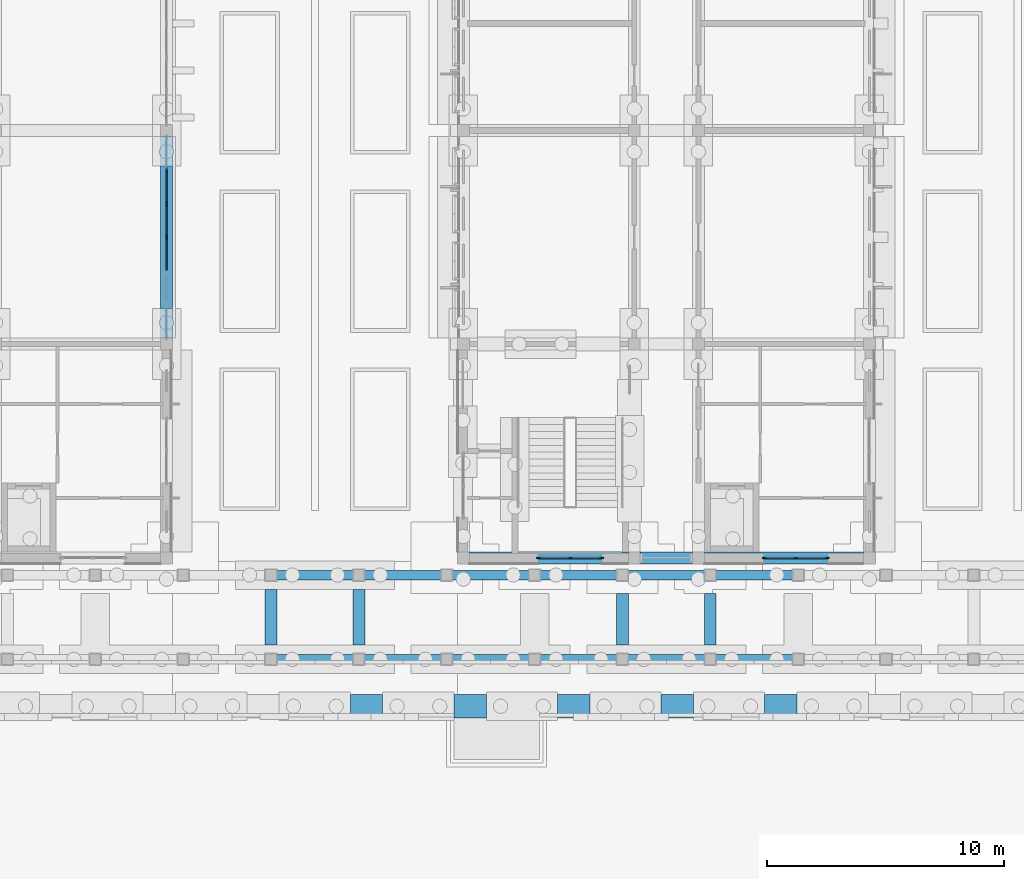
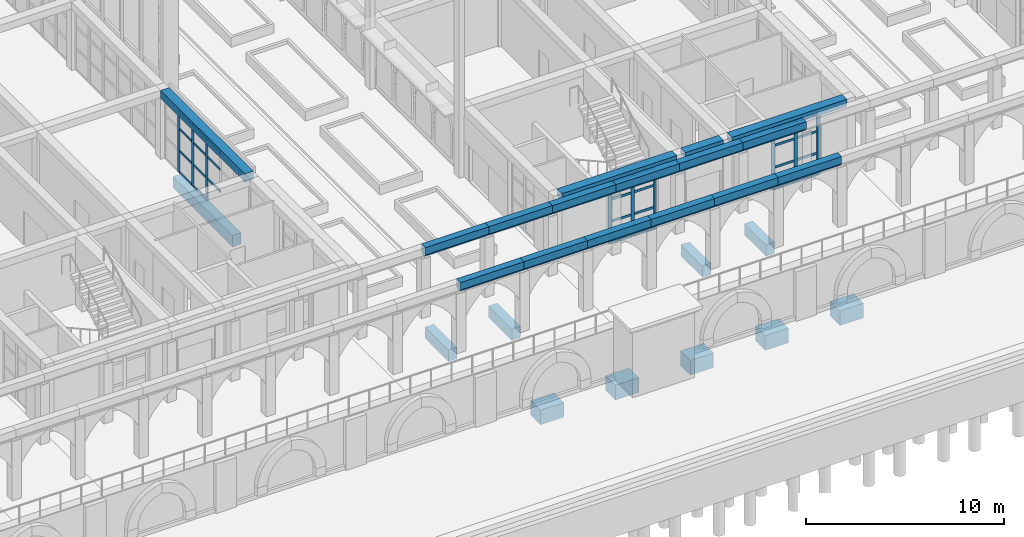
# One storey, part 22 of 161: 36 members, 26 beams, 3 elements without a shape of their own.
"""IFC4 building model written with IfcOpenShell, lengths in metres."""

from ifc_helpers import new_model, si_unit, direction, frame, origin, origin_2d, place, context, subcontext, project, spatial, polyline, rectangle, outline, extrude, material, layer, layer_set, material_profile, profile_set, type_object, element, aggregate, save


model = new_model("IFC4")

# Units and contexts
model_context = context("Model", 3, precision=1e-05, world=origin(), true_north=direction((0.0, 1.0)))
body_context = subcontext(model_context, "Body", "Model", "MODEL_VIEW")
ifc_project = project(units=[si_unit("LENGTHUNIT", "METRE"), si_unit("AREAUNIT", "SQUARE_METRE"), si_unit("VOLUMEUNIT", "CUBIC_METRE"), si_unit("PLANEANGLEUNIT", "RADIAN"), si_unit("MASSUNIT", "GRAM", prefix="KILO")], contexts=[model_context])

# Site, building, storey
site_placement = place(None, origin())
site = spatial("IfcSite", under=ifc_project, at=site_placement, CompositionType="ELEMENT")
building_placement = place(site_placement, origin())
building = spatial("IfcBuilding", under=site, at=building_placement, Name="Elbe Cascade School", CompositionType="ELEMENT")
storey_placement = place(building_placement, origin())
storey = spatial("IfcBuildingStorey", under=building, at=storey_placement, Name="L00", CompositionType="ELEMENT", Elevation=0.0)

# Curtain wall, members
ifc_material_1 = material(Name="Aluminium frame with double glazing, bronze anodised", Category="aluminium")
ifc_layer = layer(ifc_material_1, 0.199951171875)
ifc_layer_set = layer_set([ifc_layer], Name="Aluminium frame with double glazing, bronze anodised")
curtain_wall_type = type_object("IfcCurtainWallType", Name="Bars envelope Curtain wall, aluminium, bronze anodised, ground floor tall run", PredefinedType="NOTDEFINED", material=ifc_layer_set)
curtain_wall_1_placement = place(storey_placement, origin())
curtain_wall_1 = element("IfcCurtainWall", 1, at=curtain_wall_1_placement, inside=storey, type_object=curtain_wall_type, Name="Curtain wall CW3 A.L00.e2", PredefinedType="NOTDEFINED")
ifc_material_2 = material(Name="Aluminium mullion, bronze anodised", Category="aluminium")
ifc_material_profile_1 = material_profile(ifc_material_2, rectangle(XDim=0.06005859375, YDim=0.199951171875, at=origin_2d()), Name="Bars envelope Curtain wall mullion 60 x 200, aluminium, ground floor tall run")
ifc_profile_set_1 = profile_set([ifc_material_profile_1], Name="Aluminium mullion, bronze anodised")
member_type_1 = type_object("IfcMemberType", Name="Bars envelope Curtain wall mullion 60 x 200, aluminium, ground floor tall run", PredefinedType="MULLION", material=ifc_profile_set_1)
member_1_placement = place(storey_placement, frame((86.10009765625, 22.333251953125, 0.0), z_axis=(0.0, 0.0, 1.0), x_axis=(1.0, 0.0, 0.0)))
member_1 = element("IfcMember", 2, at=member_1_placement, type_object=member_type_1, Name="CW3 mullion 2", PredefinedType="MULLION", context=body_context, shape_type="SweptSolid", body=[
    extrude(rectangle(XDim=0.06005859375, YDim=0.199951171875, at=origin_2d()), origin(), (0.0, 0.0, 1.0), 3.75),
])
member_2_placement = place(storey_placement, frame((86.10009765625, 20.916748046875, 0.0), z_axis=(0.0, 0.0, 1.0), x_axis=(1.0, 0.0, 0.0)))
member_2 = element("IfcMember", 3, at=member_2_placement, type_object=member_type_1, Name="CW3 mullion 3", PredefinedType="MULLION", context=body_context, shape_type="SweptSolid", body=[
    extrude(rectangle(XDim=0.06005859375, YDim=0.199951171875, at=origin_2d()), origin(), (0.0, 0.0, 1.0), 3.75),
])
member_3_placement = place(storey_placement, frame((86.10009765625, 19.5, 0.0), z_axis=(0.0, 0.0, 1.0), x_axis=(1.0, 0.0, 0.0)))
member_3 = element("IfcMember", 4, at=member_3_placement, type_object=member_type_1, Name="CW3 mullion 4", PredefinedType="MULLION", context=body_context, shape_type="SweptSolid", body=[
    extrude(rectangle(XDim=0.06005859375, YDim=0.199951171875, at=origin_2d()), origin(), (0.0, 0.0, 1.0), 3.75),
])

curtain_wall_2_placement = place(storey_placement, origin())
curtain_wall_2 = element("IfcCurtainWall", 5, at=curtain_wall_2_placement, inside=storey, type_object=curtain_wall_type, Name="Curtain wall CW3 B.L00.s1", PredefinedType="NOTDEFINED")
member_4_placement = place(storey_placement, frame((104.419921875, 6.0, 0.0), z_axis=(0.0, 0.0, 1.0), x_axis=(0.0, -1.0, 0.0)))
member_4 = element("IfcMember", 6, at=member_4_placement, type_object=member_type_1, Name="CW3 mullion 1", PredefinedType="MULLION", context=body_context, shape_type="SweptSolid", body=[
    extrude(rectangle(XDim=0.06005859375, YDim=0.199951171875, at=origin_2d()), origin(), (0.0, 0.0, 1.0), 3.800048828125),
])
member_5_placement = place(storey_placement, frame((103.10009765625, 6.0, 0.0), z_axis=(0.0, 0.0, 1.0), x_axis=(0.0, -1.0, 0.0)))
member_5 = element("IfcMember", 7, at=member_5_placement, type_object=member_type_1, Name="CW3 mullion 2", PredefinedType="MULLION", context=body_context, shape_type="SweptSolid", body=[
    extrude(rectangle(XDim=0.06005859375, YDim=0.199951171875, at=origin_2d()), origin(), (0.0, 0.0, 1.0), 3.800048828125),
])
member_6_placement = place(storey_placement, frame((101.780029296875, 6.0, 0.0), z_axis=(0.0, 0.0, 1.0), x_axis=(0.0, -1.0, 0.0)))
member_6 = element("IfcMember", 8, at=member_6_placement, type_object=member_type_1, Name="CW3 mullion 3", PredefinedType="MULLION", context=body_context, shape_type="SweptSolid", body=[
    extrude(rectangle(XDim=0.06005859375, YDim=0.199951171875, at=origin_2d()), origin(), (0.0, 0.0, 1.0), 3.800048828125),
])

curtain_wall_3_placement = place(storey_placement, origin())
curtain_wall_3 = element("IfcCurtainWall", 9, at=curtain_wall_3_placement, inside=storey, type_object=curtain_wall_type, Name="Curtain wall CW3 B.L00.s3", PredefinedType="NOTDEFINED")
member_7_placement = place(storey_placement, frame((113.919921875, 6.0, 0.0), z_axis=(0.0, 0.0, 1.0), x_axis=(0.0, -1.0, 0.0)))
member_7 = element("IfcMember", 10, at=member_7_placement, type_object=member_type_1, Name="CW3 mullion 1", PredefinedType="MULLION", context=body_context, shape_type="SweptSolid", body=[
    extrude(rectangle(XDim=0.06005859375, YDim=0.199951171875, at=origin_2d()), origin(), (0.0, 0.0, 1.0), 3.800048828125),
])
member_8_placement = place(storey_placement, frame((112.60009765625, 6.0, 0.0), z_axis=(0.0, 0.0, 1.0), x_axis=(0.0, -1.0, 0.0)))
member_8 = element("IfcMember", 11, at=member_8_placement, type_object=member_type_1, Name="CW3 mullion 2", PredefinedType="MULLION", context=body_context, shape_type="SweptSolid", body=[
    extrude(rectangle(XDim=0.06005859375, YDim=0.199951171875, at=origin_2d()), origin(), (0.0, 0.0, 1.0), 3.800048828125),
])
member_9_placement = place(storey_placement, frame((111.280029296875, 6.0, 0.0), z_axis=(0.0, 0.0, 1.0), x_axis=(0.0, -1.0, 0.0)))
member_9 = element("IfcMember", 12, at=member_9_placement, type_object=member_type_1, Name="CW3 mullion 3", PredefinedType="MULLION", context=body_context, shape_type="SweptSolid", body=[
    extrude(rectangle(XDim=0.06005859375, YDim=0.199951171875, at=origin_2d()), origin(), (0.0, 0.0, 1.0), 3.800048828125),
])

# Member
ifc_material_3 = material(Name="Aluminium transom, bronze anodised", Category="aluminium")
ifc_material_profile_2 = material_profile(ifc_material_3, rectangle(XDim=0.06005859375, YDim=0.139892578125, at=origin_2d()), Name="Bars envelope Curtain wall transom 60 x 140, aluminium, ground floor tall run")
ifc_profile_set_2 = profile_set([ifc_material_profile_2], Name="Aluminium transom, bronze anodised")
member_type_2 = type_object("IfcMemberType", Name="Bars envelope Curtain wall transom 60 x 140, aluminium, ground floor tall run", PredefinedType="USERDEFINED", material=ifc_profile_set_2)
member_10_placement = place(storey_placement, frame((86.10009765625, 22.30322265625, 0.030029296875), z_axis=(0.0, -1.0, 0.0), x_axis=(1.0, 0.0, 0.0)))
member_10 = element("IfcMember", 13, at=member_10_placement, type_object=member_type_2, Name="CW3 transom 2.1", ObjectType="TRANSOM", PredefinedType="USERDEFINED", context=body_context, shape_type="SweptSolid", body=[
    extrude(rectangle(XDim=0.06005859375, YDim=0.139892578125, at=origin_2d()), origin(), (0.0, 0.0, 1.0), 1.3564453125),
])

member_11_placement = place(storey_placement, frame((86.10009765625, 22.30322265625, 1.35009765625), z_axis=(0.0, -1.0, 0.0), x_axis=(1.0, 0.0, 0.0)))
member_11 = element("IfcMember", 14, at=member_11_placement, type_object=member_type_2, Name="CW3 transom 2.2", ObjectType="TRANSOM", PredefinedType="USERDEFINED", context=body_context, shape_type="SweptSolid", body=[
    extrude(rectangle(XDim=0.06005859375, YDim=0.139892578125, at=origin_2d()), origin(), (0.0, 0.0, 1.0), 1.3564453125),
])

member_12_placement = place(storey_placement, frame((86.10009765625, 22.30322265625, 2.699951171875), z_axis=(0.0, -1.0, 0.0), x_axis=(1.0, 0.0, 0.0)))
member_12 = element("IfcMember", 15, at=member_12_placement, type_object=member_type_2, Name="CW3 transom 2.3", ObjectType="TRANSOM", PredefinedType="USERDEFINED", context=body_context, shape_type="SweptSolid", body=[
    extrude(rectangle(XDim=0.06005859375, YDim=0.139892578125, at=origin_2d()), origin(), (0.0, 0.0, 1.0), 1.3564453125),
])

member_13_placement = place(storey_placement, frame((86.10009765625, 22.30322265625, 3.719970703125), z_axis=(0.0, -1.0, 0.0), x_axis=(1.0, 0.0, 0.0)))
member_13 = element("IfcMember", 16, at=member_13_placement, type_object=member_type_2, Name="CW3 transom 2.4", ObjectType="TRANSOM", PredefinedType="USERDEFINED", context=body_context, shape_type="SweptSolid", body=[
    extrude(rectangle(XDim=0.06005859375, YDim=0.139892578125, at=origin_2d()), origin(), (0.0, 0.0, 1.0), 1.3564453125),
])

member_14_placement = place(storey_placement, frame((86.10009765625, 20.88671875, 0.030029296875), z_axis=(0.0, -1.0, 0.0), x_axis=(1.0, 0.0, 0.0)))
member_14 = element("IfcMember", 17, at=member_14_placement, type_object=member_type_2, Name="CW3 transom 3.1", ObjectType="TRANSOM", PredefinedType="USERDEFINED", context=body_context, shape_type="SweptSolid", body=[
    extrude(rectangle(XDim=0.06005859375, YDim=0.139892578125, at=origin_2d()), origin(), (0.0, 0.0, 1.0), 1.356689453125),
])

member_15_placement = place(storey_placement, frame((86.10009765625, 20.88671875, 1.35009765625), z_axis=(0.0, -1.0, 0.0), x_axis=(1.0, 0.0, 0.0)))
member_15 = element("IfcMember", 18, at=member_15_placement, type_object=member_type_2, Name="CW3 transom 3.2", ObjectType="TRANSOM", PredefinedType="USERDEFINED", context=body_context, shape_type="SweptSolid", body=[
    extrude(rectangle(XDim=0.06005859375, YDim=0.139892578125, at=origin_2d()), origin(), (0.0, 0.0, 1.0), 1.356689453125),
])

member_16_placement = place(storey_placement, frame((86.10009765625, 20.88671875, 2.699951171875), z_axis=(0.0, -1.0, 0.0), x_axis=(1.0, 0.0, 0.0)))
member_16 = element("IfcMember", 19, at=member_16_placement, type_object=member_type_2, Name="CW3 transom 3.3", ObjectType="TRANSOM", PredefinedType="USERDEFINED", context=body_context, shape_type="SweptSolid", body=[
    extrude(rectangle(XDim=0.06005859375, YDim=0.139892578125, at=origin_2d()), origin(), (0.0, 0.0, 1.0), 1.356689453125),
])

member_17_placement = place(storey_placement, frame((86.10009765625, 20.88671875, 3.719970703125), z_axis=(0.0, -1.0, 0.0), x_axis=(1.0, 0.0, 0.0)))
member_17 = element("IfcMember", 20, at=member_17_placement, type_object=member_type_2, Name="CW3 transom 3.4", ObjectType="TRANSOM", PredefinedType="USERDEFINED", context=body_context, shape_type="SweptSolid", body=[
    extrude(rectangle(XDim=0.06005859375, YDim=0.139892578125, at=origin_2d()), origin(), (0.0, 0.0, 1.0), 1.356689453125),
])

member_18_placement = place(storey_placement, frame((86.10009765625, 19.469970703125, 1.35009765625), z_axis=(0.0, -1.0, 0.0), x_axis=(1.0, 0.0, 0.0)))
member_18 = element("IfcMember", 21, at=member_18_placement, type_object=member_type_2, Name="CW3 transom 4.2", ObjectType="TRANSOM", PredefinedType="USERDEFINED", context=body_context, shape_type="SweptSolid", body=[
    extrude(rectangle(XDim=0.06005859375, YDim=0.139892578125, at=origin_2d()), origin(), (0.0, 0.0, 1.0), 1.356689453125),
])

member_19_placement = place(storey_placement, frame((86.10009765625, 19.469970703125, 2.699951171875), z_axis=(0.0, -1.0, 0.0), x_axis=(1.0, 0.0, 0.0)))
member_19 = element("IfcMember", 22, at=member_19_placement, type_object=member_type_2, Name="CW3 transom 4.3", ObjectType="TRANSOM", PredefinedType="USERDEFINED", context=body_context, shape_type="SweptSolid", body=[
    extrude(rectangle(XDim=0.06005859375, YDim=0.139892578125, at=origin_2d()), origin(), (0.0, 0.0, 1.0), 1.356689453125),
])

member_20_placement = place(storey_placement, frame((86.10009765625, 19.469970703125, 3.719970703125), z_axis=(0.0, -1.0, 0.0), x_axis=(1.0, 0.0, 0.0)))
member_20 = element("IfcMember", 23, at=member_20_placement, type_object=member_type_2, Name="CW3 transom 4.4", ObjectType="TRANSOM", PredefinedType="USERDEFINED", context=body_context, shape_type="SweptSolid", body=[
    extrude(rectangle(XDim=0.06005859375, YDim=0.139892578125, at=origin_2d()), origin(), (0.0, 0.0, 1.0), 1.356689453125),
])

aggregate(curtain_wall_1, [member_1, member_2, member_3, member_10, member_11, member_12, member_13, member_14, member_15, member_16, member_17, member_18, member_19, member_20])

member_21_placement = place(storey_placement, frame((104.389892578125, 6.0, 0.030029296875), z_axis=(-1.0, 0.0, 0.0), x_axis=(0.0, -1.0, 0.0)))
member_21 = element("IfcMember", 24, at=member_21_placement, type_object=member_type_2, Name="CW3 transom 1.1", ObjectType="TRANSOM", PredefinedType="USERDEFINED", context=body_context, shape_type="SweptSolid", body=[
    extrude(rectangle(XDim=0.06005859375, YDim=0.139892578125, at=origin_2d()), origin(), (0.0, 0.0, 1.0), 1.260009765625),
])

member_22_placement = place(storey_placement, frame((104.389892578125, 6.0, 1.35009765625), z_axis=(-1.0, 0.0, 0.0), x_axis=(0.0, -1.0, 0.0)))
member_22 = element("IfcMember", 25, at=member_22_placement, type_object=member_type_2, Name="CW3 transom 1.2", ObjectType="TRANSOM", PredefinedType="USERDEFINED", context=body_context, shape_type="SweptSolid", body=[
    extrude(rectangle(XDim=0.06005859375, YDim=0.139892578125, at=origin_2d()), origin(), (0.0, 0.0, 1.0), 1.260009765625),
])

member_23_placement = place(storey_placement, frame((104.389892578125, 6.0, 2.699951171875), z_axis=(-1.0, 0.0, 0.0), x_axis=(0.0, -1.0, 0.0)))
member_23 = element("IfcMember", 26, at=member_23_placement, type_object=member_type_2, Name="CW3 transom 1.3", ObjectType="TRANSOM", PredefinedType="USERDEFINED", context=body_context, shape_type="SweptSolid", body=[
    extrude(rectangle(XDim=0.06005859375, YDim=0.139892578125, at=origin_2d()), origin(), (0.0, 0.0, 1.0), 1.260009765625),
])

member_24_placement = place(storey_placement, frame((104.389892578125, 6.0, 3.77001953125), z_axis=(-1.0, 0.0, 0.0), x_axis=(0.0, -1.0, 0.0)))
member_24 = element("IfcMember", 27, at=member_24_placement, type_object=member_type_2, Name="CW3 transom 1.4", ObjectType="TRANSOM", PredefinedType="USERDEFINED", context=body_context, shape_type="SweptSolid", body=[
    extrude(rectangle(XDim=0.06005859375, YDim=0.139892578125, at=origin_2d()), origin(), (0.0, 0.0, 1.0), 1.260009765625),
])

member_25_placement = place(storey_placement, frame((103.070068359375, 6.0, 0.030029296875), z_axis=(-1.0, 0.0, 0.0), x_axis=(0.0, -1.0, 0.0)))
member_25 = element("IfcMember", 28, at=member_25_placement, type_object=member_type_2, Name="CW3 transom 2.1", ObjectType="TRANSOM", PredefinedType="USERDEFINED", context=body_context, shape_type="SweptSolid", body=[
    extrude(rectangle(XDim=0.06005859375, YDim=0.139892578125, at=origin_2d()), origin(), (0.0, 0.0, 1.0), 1.260009765625),
])

member_26_placement = place(storey_placement, frame((103.070068359375, 6.0, 1.35009765625), z_axis=(-1.0, 0.0, 0.0), x_axis=(0.0, -1.0, 0.0)))
member_26 = element("IfcMember", 29, at=member_26_placement, type_object=member_type_2, Name="CW3 transom 2.2", ObjectType="TRANSOM", PredefinedType="USERDEFINED", context=body_context, shape_type="SweptSolid", body=[
    extrude(rectangle(XDim=0.06005859375, YDim=0.139892578125, at=origin_2d()), origin(), (0.0, 0.0, 1.0), 1.260009765625),
])

member_27_placement = place(storey_placement, frame((103.070068359375, 6.0, 2.699951171875), z_axis=(-1.0, 0.0, 0.0), x_axis=(0.0, -1.0, 0.0)))
member_27 = element("IfcMember", 30, at=member_27_placement, type_object=member_type_2, Name="CW3 transom 2.3", ObjectType="TRANSOM", PredefinedType="USERDEFINED", context=body_context, shape_type="SweptSolid", body=[
    extrude(rectangle(XDim=0.06005859375, YDim=0.139892578125, at=origin_2d()), origin(), (0.0, 0.0, 1.0), 1.260009765625),
])

member_28_placement = place(storey_placement, frame((103.070068359375, 6.0, 3.77001953125), z_axis=(-1.0, 0.0, 0.0), x_axis=(0.0, -1.0, 0.0)))
member_28 = element("IfcMember", 31, at=member_28_placement, type_object=member_type_2, Name="CW3 transom 2.4", ObjectType="TRANSOM", PredefinedType="USERDEFINED", context=body_context, shape_type="SweptSolid", body=[
    extrude(rectangle(XDim=0.06005859375, YDim=0.139892578125, at=origin_2d()), origin(), (0.0, 0.0, 1.0), 1.260009765625),
])

aggregate(curtain_wall_2, [member_4, member_5, member_6, member_21, member_22, member_23, member_24, member_25, member_26, member_27, member_28])

member_29_placement = place(storey_placement, frame((113.889892578125, 6.0, 0.030029296875), z_axis=(-1.0, 0.0, 0.0), x_axis=(0.0, -1.0, 0.0)))
member_29 = element("IfcMember", 32, at=member_29_placement, type_object=member_type_2, Name="CW3 transom 1.1", ObjectType="TRANSOM", PredefinedType="USERDEFINED", context=body_context, shape_type="SweptSolid", body=[
    extrude(rectangle(XDim=0.06005859375, YDim=0.139892578125, at=origin_2d()), origin(), (0.0, 0.0, 1.0), 1.260009765625),
])

member_30_placement = place(storey_placement, frame((113.889892578125, 6.0, 1.35009765625), z_axis=(-1.0, 0.0, 0.0), x_axis=(0.0, -1.0, 0.0)))
member_30 = element("IfcMember", 33, at=member_30_placement, type_object=member_type_2, Name="CW3 transom 1.2", ObjectType="TRANSOM", PredefinedType="USERDEFINED", context=body_context, shape_type="SweptSolid", body=[
    extrude(rectangle(XDim=0.06005859375, YDim=0.139892578125, at=origin_2d()), origin(), (0.0, 0.0, 1.0), 1.260009765625),
])

member_31_placement = place(storey_placement, frame((113.889892578125, 6.0, 2.699951171875), z_axis=(-1.0, 0.0, 0.0), x_axis=(0.0, -1.0, 0.0)))
member_31 = element("IfcMember", 34, at=member_31_placement, type_object=member_type_2, Name="CW3 transom 1.3", ObjectType="TRANSOM", PredefinedType="USERDEFINED", context=body_context, shape_type="SweptSolid", body=[
    extrude(rectangle(XDim=0.06005859375, YDim=0.139892578125, at=origin_2d()), origin(), (0.0, 0.0, 1.0), 1.260009765625),
])

member_32_placement = place(storey_placement, frame((113.889892578125, 6.0, 3.77001953125), z_axis=(-1.0, 0.0, 0.0), x_axis=(0.0, -1.0, 0.0)))
member_32 = element("IfcMember", 35, at=member_32_placement, type_object=member_type_2, Name="CW3 transom 1.4", ObjectType="TRANSOM", PredefinedType="USERDEFINED", context=body_context, shape_type="SweptSolid", body=[
    extrude(rectangle(XDim=0.06005859375, YDim=0.139892578125, at=origin_2d()), origin(), (0.0, 0.0, 1.0), 1.260009765625),
])

member_33_placement = place(storey_placement, frame((112.570068359375, 6.0, 0.030029296875), z_axis=(-1.0, 0.0, 0.0), x_axis=(0.0, -1.0, 0.0)))
member_33 = element("IfcMember", 36, at=member_33_placement, type_object=member_type_2, Name="CW3 transom 2.1", ObjectType="TRANSOM", PredefinedType="USERDEFINED", context=body_context, shape_type="SweptSolid", body=[
    extrude(rectangle(XDim=0.06005859375, YDim=0.139892578125, at=origin_2d()), origin(), (0.0, 0.0, 1.0), 1.260009765625),
])

member_34_placement = place(storey_placement, frame((112.570068359375, 6.0, 1.35009765625), z_axis=(-1.0, 0.0, 0.0), x_axis=(0.0, -1.0, 0.0)))
member_34 = element("IfcMember", 37, at=member_34_placement, type_object=member_type_2, Name="CW3 transom 2.2", ObjectType="TRANSOM", PredefinedType="USERDEFINED", context=body_context, shape_type="SweptSolid", body=[
    extrude(rectangle(XDim=0.06005859375, YDim=0.139892578125, at=origin_2d()), origin(), (0.0, 0.0, 1.0), 1.260009765625),
])

member_35_placement = place(storey_placement, frame((112.570068359375, 6.0, 2.699951171875), z_axis=(-1.0, 0.0, 0.0), x_axis=(0.0, -1.0, 0.0)))
member_35 = element("IfcMember", 38, at=member_35_placement, type_object=member_type_2, Name="CW3 transom 2.3", ObjectType="TRANSOM", PredefinedType="USERDEFINED", context=body_context, shape_type="SweptSolid", body=[
    extrude(rectangle(XDim=0.06005859375, YDim=0.139892578125, at=origin_2d()), origin(), (0.0, 0.0, 1.0), 1.260009765625),
])

member_36_placement = place(storey_placement, frame((112.570068359375, 6.0, 3.77001953125), z_axis=(-1.0, 0.0, 0.0), x_axis=(0.0, -1.0, 0.0)))
member_36 = element("IfcMember", 39, at=member_36_placement, type_object=member_type_2, Name="CW3 transom 2.4", ObjectType="TRANSOM", PredefinedType="USERDEFINED", context=body_context, shape_type="SweptSolid", body=[
    extrude(rectangle(XDim=0.06005859375, YDim=0.139892578125, at=origin_2d()), origin(), (0.0, 0.0, 1.0), 1.260009765625),
])

aggregate(curtain_wall_3, [member_7, member_8, member_9, member_29, member_30, member_31, member_32, member_33, member_34, member_35, member_36])

# Beams
ifc_material_4 = material(Name="Concrete C35/45", Category="concrete")
ifc_material_profile_3 = material_profile(ifc_material_4, outline(polyline([(-0.199951171875, 0.300048828125), (0.199951171875, 0.300048828125), (0.199951171875, -0.14990234375), (0.10009765625, -0.300048828125), (-0.10009765625, -0.300048828125), (-0.199951171875, -0.14990234375), (-0.199951171875, 0.300048828125)])), Name="RC arch 400x600")
ifc_profile_set_3 = profile_set([ifc_material_profile_3], Name="Concrete C35/45")
beam_type_1 = type_object("IfcBeamType", Name="Colonnade arch beam 400x600", PredefinedType="USERDEFINED", material=ifc_profile_set_3)
for number, where, z_axis, x_axis, name in (
    (40, (90.5, 1.72509765625, 3.949951171875), (1.0, 0.0, 0.0), (0.0, 1.0, 0.0), "Colonnade arch beam F23"),
    (41, (94.199951171875, 1.72509765625, 3.949951171875), (1.0, 0.0, 0.0), (0.0, 1.0, 0.0), "Colonnade arch beam F24"),
):
    element("IfcBeam", number, at=place(storey_placement, frame(where, z_axis=z_axis, x_axis=x_axis)), inside=storey, type_object=beam_type_1, Name=name, ObjectType="ARCH", PredefinedType="USERDEFINED", context=body_context, shape_type="SweptSolid", body=[
        extrude(outline(polyline([(-0.199951171875, 0.300048828125), (0.199951171875, 0.300048828125), (0.199951171875, -0.14990234375), (0.10009765625, -0.300048828125), (-0.10009765625, -0.300048828125), (-0.199951171875, -0.14990234375), (-0.199951171875, 0.300048828125)])), origin(), (0.0, 0.0, 1.0), 3.699951171875),
    ])
beam_1_placement = place(storey_placement, frame((97.89990234375, 1.72509765625, 3.949951171875), z_axis=(1.0, 0.0, 0.0), x_axis=(0.0, 1.0, 0.0)))
element("IfcBeam", 42, at=beam_1_placement, inside=storey, type_object=beam_type_1, Name="Colonnade arch beam F25", ObjectType="ARCH", PredefinedType="USERDEFINED", context=body_context, shape_type="SweptSolid", body=[
    extrude(outline(polyline([(-0.199951171875, 0.300048828125), (0.199951171875, 0.300048828125), (0.199951171875, -0.14990234375), (0.10009765625, -0.300048828125), (-0.10009765625, -0.300048828125), (-0.199951171875, -0.14990234375), (-0.199951171875, 0.300048828125)])), origin(), (0.0, 0.0, 1.0), 3.7001953125),
])
for number, where, z_axis, x_axis, name in (
    (43, (101.60009765625, 1.72509765625, 3.949951171875), (1.0, 0.0, 0.0), (0.0, 1.0, 0.0), "Colonnade arch beam F26"),
    (44, (105.300048828125, 1.72509765625, 3.949951171875), (1.0, 0.0, 0.0), (0.0, 1.0, 0.0), "Colonnade arch beam F27"),
    (45, (109.0, 1.72509765625, 3.949951171875), (1.0, 0.0, 0.0), (0.0, 1.0, 0.0), "Colonnade arch beam F28"),
    (46, (90.5, 5.27490234375, 3.949951171875), (1.0, 0.0, 0.0), (0.0, 1.0, 0.0), "Colonnade arch beam R23"),
    (47, (94.199951171875, 5.27490234375, 3.949951171875), (1.0, 0.0, 0.0), (0.0, 1.0, 0.0), "Colonnade arch beam R24"),
):
    element("IfcBeam", number, at=place(storey_placement, frame(where, z_axis=z_axis, x_axis=x_axis)), inside=storey, type_object=beam_type_1, Name=name, ObjectType="ARCH", PredefinedType="USERDEFINED", context=body_context, shape_type="SweptSolid", body=[
        extrude(outline(polyline([(-0.199951171875, 0.300048828125), (0.199951171875, 0.300048828125), (0.199951171875, -0.14990234375), (0.10009765625, -0.300048828125), (-0.10009765625, -0.300048828125), (-0.199951171875, -0.14990234375), (-0.199951171875, 0.300048828125)])), origin(), (0.0, 0.0, 1.0), 3.699951171875),
    ])
beam_2_placement = place(storey_placement, frame((97.89990234375, 5.27490234375, 3.949951171875), z_axis=(1.0, 0.0, 0.0), x_axis=(0.0, 1.0, 0.0)))
element("IfcBeam", 48, at=beam_2_placement, inside=storey, type_object=beam_type_1, Name="Colonnade arch beam R25", ObjectType="ARCH", PredefinedType="USERDEFINED", context=body_context, shape_type="SweptSolid", body=[
    extrude(outline(polyline([(-0.199951171875, 0.300048828125), (0.199951171875, 0.300048828125), (0.199951171875, -0.14990234375), (0.10009765625, -0.300048828125), (-0.10009765625, -0.300048828125), (-0.199951171875, -0.14990234375), (-0.199951171875, 0.300048828125)])), origin(), (0.0, 0.0, 1.0), 3.7001953125),
])
for number, where, z_axis, x_axis, name in (
    (49, (101.60009765625, 5.27490234375, 3.949951171875), (1.0, 0.0, 0.0), (0.0, 1.0, 0.0), "Colonnade arch beam R26"),
    (50, (105.300048828125, 5.27490234375, 3.949951171875), (1.0, 0.0, 0.0), (0.0, 1.0, 0.0), "Colonnade arch beam R27"),
    (51, (109.0, 5.27490234375, 3.949951171875), (1.0, 0.0, 0.0), (0.0, 1.0, 0.0), "Colonnade arch beam R28"),
):
    element("IfcBeam", number, at=place(storey_placement, frame(where, z_axis=z_axis, x_axis=x_axis)), inside=storey, type_object=beam_type_1, Name=name, ObjectType="ARCH", PredefinedType="USERDEFINED", context=body_context, shape_type="SweptSolid", body=[
        extrude(outline(polyline([(-0.199951171875, 0.300048828125), (0.199951171875, 0.300048828125), (0.199951171875, -0.14990234375), (0.10009765625, -0.300048828125), (-0.10009765625, -0.300048828125), (-0.199951171875, -0.14990234375), (-0.199951171875, 0.300048828125)])), origin(), (0.0, 0.0, 1.0), 3.699951171875),
    ])
ifc_material_5 = material(Name="Concrete C30/37", Category="concrete")
ifc_material_profile_4 = material_profile(ifc_material_5, rectangle(XDim=1.0, YDim=0.89990234375, at=origin_2d()), Name="RC 1000x900")
ifc_profile_set_4 = profile_set([ifc_material_profile_4], Name="Concrete C30/37")
beam_type_2 = type_object("IfcBeamType", Name="Found ground beam RC 1000x900", PredefinedType="BEAM", material=ifc_profile_set_4)
beam_3_placement = place(storey_placement, frame((93.8447265625, -0.25, -3.85009765625), z_axis=(1.0, 0.0, 0.0), x_axis=(0.0, 1.0, 0.0)))
element("IfcBeam", 52, at=beam_3_placement, inside=storey, type_object=beam_type_2, Name="Ground beam 012", PredefinedType="BEAM", context=body_context, shape_type="SweptSolid", body=[
    extrude(rectangle(XDim=1.0, YDim=0.89990234375, at=origin_2d()), origin(), (0.0, 0.0, 1.0), 1.362060546875),
])
beam_4_placement = place(storey_placement, frame((98.206787109375, -0.25, -3.85009765625), z_axis=(1.0, 0.0, 0.0), x_axis=(0.0, 1.0, 0.0)))
element("IfcBeam", 53, at=beam_4_placement, inside=storey, type_object=beam_type_2, Name="Ground beam 013", PredefinedType="BEAM", context=body_context, shape_type="SweptSolid", body=[
    extrude(rectangle(XDim=1.0, YDim=0.89990234375, at=origin_2d()), origin(), (0.0, 0.0, 1.0), 1.3623046875),
])
beam_5_placement = place(storey_placement, frame((102.569091796875, -0.25, -3.85009765625), z_axis=(1.0, 0.0, 0.0), x_axis=(0.0, 1.0, 0.0)))
element("IfcBeam", 54, at=beam_5_placement, inside=storey, type_object=beam_type_2, Name="Ground beam 014", PredefinedType="BEAM", context=body_context, shape_type="SweptSolid", body=[
    extrude(rectangle(XDim=1.0, YDim=0.89990234375, at=origin_2d()), origin(), (0.0, 0.0, 1.0), 1.36181640625),
])
beam_6_placement = place(storey_placement, frame((106.930908203125, -0.25, -3.85009765625), z_axis=(1.0, 0.0, 0.0), x_axis=(0.0, 1.0, 0.0)))
element("IfcBeam", 55, at=beam_6_placement, inside=storey, type_object=beam_type_2, Name="Ground beam 015", PredefinedType="BEAM", context=body_context, shape_type="SweptSolid", body=[
    extrude(rectangle(XDim=1.0, YDim=0.89990234375, at=origin_2d()), origin(), (0.0, 0.0, 1.0), 1.3623046875),
])
beam_7_placement = place(storey_placement, frame((111.293212890625, -0.25, -3.85009765625), z_axis=(1.0, 0.0, 0.0), x_axis=(0.0, 1.0, 0.0)))
element("IfcBeam", 56, at=beam_7_placement, inside=storey, type_object=beam_type_2, Name="Ground beam 016", PredefinedType="BEAM", context=body_context, shape_type="SweptSolid", body=[
    extrude(rectangle(XDim=1.0, YDim=0.89990234375, at=origin_2d()), origin(), (0.0, 0.0, 1.0), 1.362060546875),
])
ifc_material_6 = material(Name="Concrete C30/37", Category="concrete")
ifc_material_profile_5 = material_profile(ifc_material_6, rectangle(XDim=0.5, YDim=0.699951171875, at=origin_2d()), Name="RC 500x700")
ifc_profile_set_5 = profile_set([ifc_material_profile_5], Name="Concrete C30/37")
beam_type_3 = type_object("IfcBeamType", Name="Found ground beam RC 500x700", PredefinedType="BEAM", material=ifc_profile_set_5)
beam_8_placement = place(storey_placement, frame((86.10009765625, 16.5, -0.64990234375), z_axis=(0.0, 1.0, 0.0), x_axis=(-1.0, 0.0, 0.0)))
element("IfcBeam", 57, at=beam_8_placement, inside=storey, type_object=beam_type_3, Name="Ground beam 204", PredefinedType="BEAM", context=body_context, shape_type="SweptSolid", body=[
    extrude(rectangle(XDim=0.5, YDim=0.699951171875, at=origin_2d()), origin(), (0.0, 0.0, 1.0), 6.0),
])
for number, where, z_axis, x_axis, name in (
    (58, (90.5, 2.324951171875, -0.64990234375), (0.0, 1.0, 0.0), (-1.0, 0.0, 0.0), "Ground beam 396"),
    (59, (94.199951171875, 2.324951171875, -0.64990234375), (0.0, 1.0, 0.0), (-1.0, 0.0, 0.0), "Ground beam 397"),
):
    element("IfcBeam", number, at=place(storey_placement, frame(where, z_axis=z_axis, x_axis=x_axis)), inside=storey, type_object=beam_type_3, Name=name, PredefinedType="BEAM", context=body_context, shape_type="SweptSolid", body=[
        extrude(rectangle(XDim=0.5, YDim=0.699951171875, at=origin_2d()), origin(), (0.0, 0.0, 1.0), 2.35009765625),
    ])
for number, where, z_axis, x_axis, name in (
    (60, (105.300048828125, 2.324951171875, -0.64990234375), (0.0, 1.0, 0.0), (-1.0, 0.0, 0.0), "Ground beam 398"),
    (61, (109.0, 2.324951171875, -0.64990234375), (0.0, 1.0, 0.0), (-1.0, 0.0, 0.0), "Ground beam 399"),
):
    element("IfcBeam", number, at=place(storey_placement, frame(where, z_axis=z_axis, x_axis=x_axis)), inside=storey, type_object=beam_type_3, Name=name, PredefinedType="BEAM", context=body_context, shape_type="SweptSolid", body=[
        extrude(rectangle(XDim=0.5, YDim=0.699951171875, at=origin_2d()), origin(), (0.0, 0.0, 1.0), 2.175048828125),
    ])
ifc_material_7 = material(Name="Concrete C30/37", Category="concrete")
ifc_material_profile_6 = material_profile(ifc_material_7, rectangle(XDim=0.5, YDim=0.35009765625, at=origin_2d()), Name="RC 500x350")
ifc_profile_set_6 = profile_set([ifc_material_profile_6], Name="Concrete C30/37")
beam_type_4 = type_object("IfcBeamType", Name="RC 500x350 beam", PredefinedType="BEAM", material=ifc_profile_set_6)
beam_9_placement = place(storey_placement, frame((106.050048828125, 6.0, 4.074951171875), z_axis=(1.0, 0.0, 0.0), x_axis=(0.0, 1.0, 0.0)))
element("IfcBeam", 62, at=beam_9_placement, inside=storey, type_object=beam_type_4, Name="RC 500x350 beam B8", PredefinedType="BEAM", context=body_context, shape_type="SweptSolid", body=[
    extrude(rectangle(XDim=0.5, YDim=0.35009765625, at=origin_2d()), origin(), (0.0, 0.0, 1.0), 2.199951171875),
])
ifc_material_8 = material(Name="Concrete C30/37", Category="concrete")
ifc_material_profile_7 = material_profile(ifc_material_8, rectangle(XDim=0.5, YDim=0.449951171875, at=origin_2d()), Name="RC 500x450")
ifc_profile_set_7 = profile_set([ifc_material_profile_7], Name="Concrete C30/37")
beam_type_5 = type_object("IfcBeamType", Name="RC 500x450 beam", PredefinedType="BEAM", material=ifc_profile_set_7)
for number, where, z_axis, x_axis, name in (
    (63, (98.85009765625, 6.0, 4.02490234375), (1.0, 0.0, 0.0), (0.0, 1.0, 0.0), "RC 500x450 beam B7"),
    (64, (108.75, 6.0, 4.02490234375), (1.0, 0.0, 0.0), (0.0, 1.0, 0.0), "RC 500x450 beam B7"),
):
    element("IfcBeam", number, at=place(storey_placement, frame(where, z_axis=z_axis, x_axis=x_axis)), inside=storey, type_object=beam_type_5, Name=name, PredefinedType="BEAM", context=body_context, shape_type="SweptSolid", body=[
        extrude(rectangle(XDim=0.5, YDim=0.449951171875, at=origin_2d()), origin(), (0.0, 0.0, 1.0), 6.699951171875),
    ])
ifc_material_9 = material(Name="Concrete C30/37", Category="concrete")
ifc_material_profile_8 = material_profile(ifc_material_9, rectangle(XDim=0.5, YDim=0.5, at=origin_2d()), Name="RC 500x500")
ifc_profile_set_8 = profile_set([ifc_material_profile_8], Name="Concrete C30/37")
beam_type_6 = type_object("IfcBeamType", Name="RC 500x500 beam", PredefinedType="BEAM", material=ifc_profile_set_8)
beam_10_placement = place(storey_placement, frame((86.10009765625, 15.25, 4.0), z_axis=(0.0, 1.0, 0.0), x_axis=(-1.0, 0.0, 0.0)))
element("IfcBeam", 65, at=beam_10_placement, inside=storey, type_object=beam_type_6, Name="RC 500x500 beam B6", PredefinedType="BEAM", context=body_context, shape_type="SweptSolid", body=[
    extrude(rectangle(XDim=0.5, YDim=0.5, at=origin_2d()), origin(), (0.0, 0.0, 1.0), 8.5),
])

save(model, "model.ifc")
